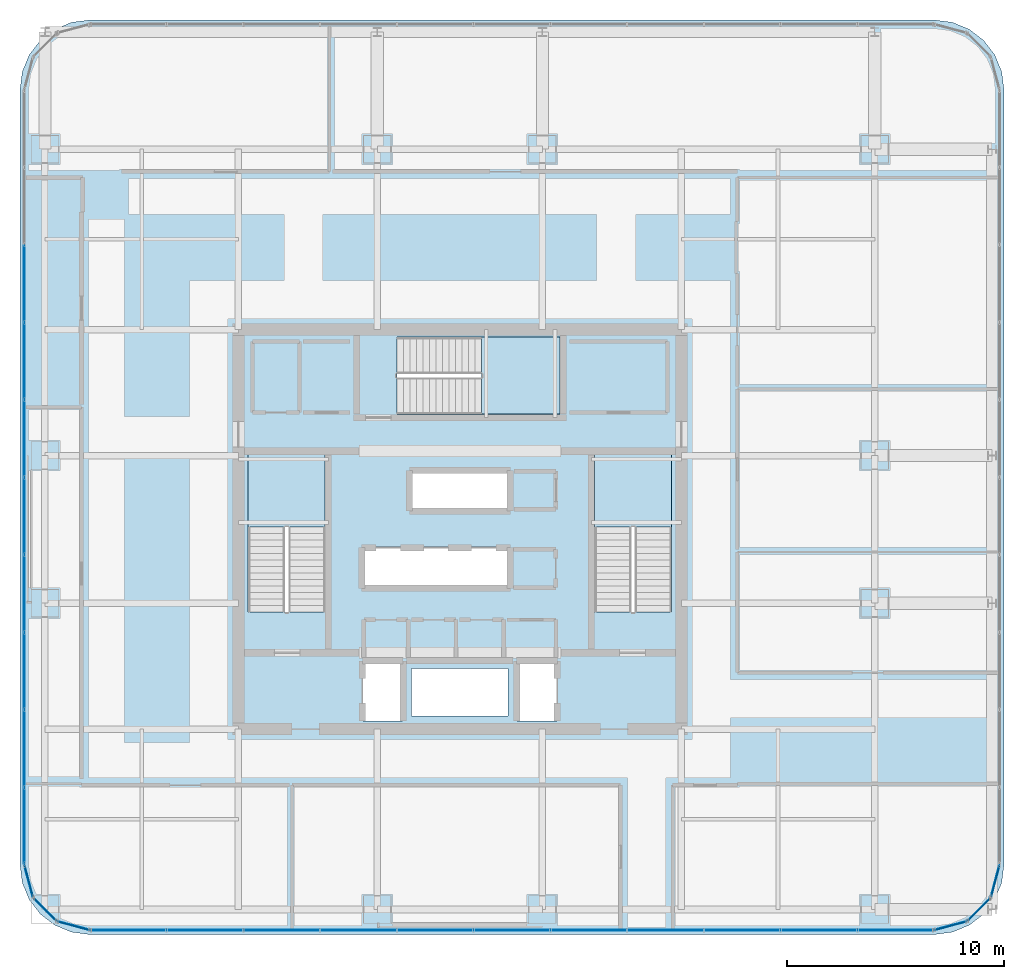
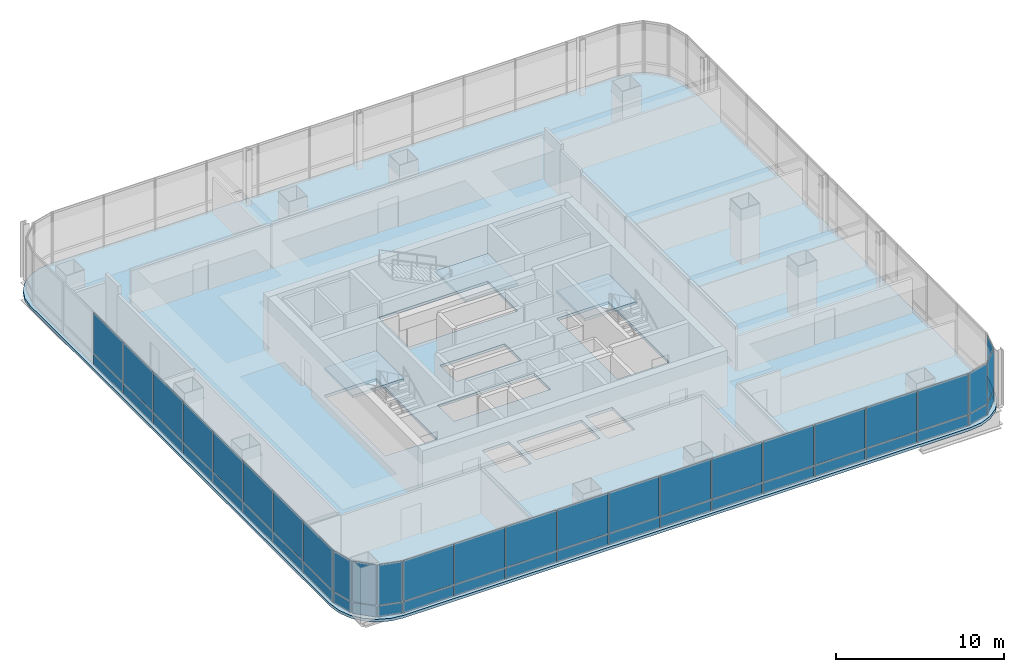
# One storey, part 31 of 42: 50 plates, 4 slabs, 11 elements without a shape of their own.
"""IFC4 building model written with IfcOpenShell, lengths in metres."""

import ifcopenshell
import ifcopenshell.guid

model = None  # the IFC model being written
_history = None  # IfcOwnerHistory: only IFC2X3 demands one
_inside = {}  # id of a spatial element -> (the spatial element, [elements in it])
_under = {}  # id of a project, library or spatial element -> (it, [spatial elements below it])
_declared = {}  # id of a project -> (the project, [libraries it declares])
_typed = {}  # id of a type object -> (the type object, [elements of that type])
_made_of = {}  # id of a material, layer set ... -> (it, [elements and type objects made of it])


def new_model(schema):
    """Start an empty IFC model of exactly this schema.

    Asked for "IFC4X3", IfcOpenShell would pick the latest addendum, in which some entities
    have other attributes; the version numbers below select the first issue.
    IFC2X3 requires an IfcOwnerHistory on every rooted entity: one is made here for all.
    """
    global model, _history
    if schema == "IFC4X3":
        model = ifcopenshell.file(schema_version=(4, 3, 0, 0))
    else:
        model = ifcopenshell.file(schema=schema)
    _inside.clear()
    _under.clear()
    _declared.clear()
    _typed.clear()
    _made_of.clear()
    _history = None
    if model.schema == "IFC2X3":
        org = make("IfcOrganization", Name="unknown")
        user = make(
            "IfcPersonAndOrganization",
            ThePerson=make("IfcPerson", FamilyName="unknown"),
            TheOrganization=org,
        )
        app = make(
            "IfcApplication",
            ApplicationDeveloper=org,
            Version="unknown",
            ApplicationFullName="unknown",
            ApplicationIdentifier="unknown",
        )
        _history = make(
            "IfcOwnerHistory",
            OwningUser=user,
            OwningApplication=app,
            ChangeAction="ADDED",
            CreationDate=0,
        )
    return model


def make(cls, **values):
    """One entity of the class cls with the attributes given. An attribute that is None is left unset."""
    return model.create_entity(
        cls, **{name: value for name, value in values.items() if value is not None}
    )


def rooted(cls, **values):
    """An entity with a GlobalId (a new one), such as an element, a storey or a relation."""
    return make(cls, GlobalId=ifcopenshell.guid.new(), OwnerHistory=_history, **values)


def si_unit(unit_type, name, prefix=None):
    """IfcSIUnit, for example si_unit("LENGTHUNIT", "METRE", prefix="MILLI")."""
    return make("IfcSIUnit", UnitType=unit_type, Prefix=prefix, Name=name)


def assignment(units):
    """IfcUnitAssignment: the units of a project."""
    return None if units is None else make("IfcUnitAssignment", Units=units)


def point(xyz):
    """IfcCartesianPoint."""
    return None if xyz is None else make("IfcCartesianPoint", Coordinates=xyz)


def direction(xyz):
    """IfcDirection."""
    return None if xyz is None else make("IfcDirection", DirectionRatios=xyz)


def frame(location, z_axis=None, x_axis=None):
    """IfcAxis2Placement3D, a coordinate frame: its origin and axes. An axis left out is left unset."""
    return make(
        "IfcAxis2Placement3D",
        Location=point(location),
        Axis=direction(z_axis),
        RefDirection=direction(x_axis),
    )


def frame_2d(location, x_axis=None):
    """IfcAxis2Placement2D, a coordinate frame in the plane: its origin and x axis."""
    return make(
        "IfcAxis2Placement2D", Location=point(location), RefDirection=direction(x_axis)
    )


def origin():
    """The frame at (0, 0, 0) with its axes left unset."""
    return frame((0.0, 0.0, 0.0))


def origin_2d():
    """The frame at (0, 0) in the plane with its x axis left unset."""
    return frame_2d((0.0, 0.0))


def place(relative_to, where):
    """IfcLocalPlacement: puts the frame where relative to a parent placement (None: the world)."""
    return make(
        "IfcLocalPlacement", PlacementRelTo=relative_to, RelativePlacement=where
    )


def context(
    kind, dimensions, precision=None, world=None, true_north=None, identifier=None
):
    """IfcGeometricRepresentationContext, for example the 3D "Model" context."""
    return make(
        "IfcGeometricRepresentationContext",
        ContextIdentifier=identifier,
        ContextType=kind,
        CoordinateSpaceDimension=dimensions,
        Precision=precision,
        WorldCoordinateSystem=world,
        TrueNorth=true_north,
    )


def subcontext(parent, identifier, kind, view, scale=None):
    """IfcGeometricRepresentationSubContext, for example "Body" below "Model"."""
    return make(
        "IfcGeometricRepresentationSubContext",
        ContextIdentifier=identifier,
        ContextType=kind,
        ParentContext=parent,
        TargetScale=scale,
        TargetView=view,
    )


def project(units=None, contexts=None):
    """IfcProject with its units and contexts."""
    return rooted(
        "IfcProject",
        Name="project",
        RepresentationContexts=contexts,
        UnitsInContext=assignment(units),
    )


def spatial(cls, under=None, at=None, **own):
    """A site, building, storey or space (cls), placed at a placement, below another one or the project."""
    s = rooted(cls, ObjectPlacement=at, **own)
    if under is not None:
        _under.setdefault(under.id(), (under, []))[1].append(s)
    return s


def polyline(points):
    """IfcPolyline through the points."""
    return make("IfcPolyline", Points=[point(p) for p in points])


def profile(cls, at=None, kind="AREA", **sizes):
    """A parametric profile (cls). Its sizes go by their IFC names, for example OverallWidth=200.0."""
    return make(cls, ProfileType=kind, Position=at, **sizes)


def rectangle(**sizes):
    """IfcRectangleProfileDef."""
    return profile("IfcRectangleProfileDef", **sizes)


def outline(outer, holes=None, kind="AREA"):
    """IfcArbitraryClosedProfileDef: a profile drawn as a closed curve; with holes, ...WithVoids."""
    if holes is None:
        return make("IfcArbitraryClosedProfileDef", ProfileType=kind, OuterCurve=outer)
    return make(
        "IfcArbitraryProfileDefWithVoids",
        ProfileType=kind,
        OuterCurve=outer,
        InnerCurves=holes,
    )


def extrude(swept, where, along, depth):
    """IfcExtrudedAreaSolid: the profile swept, set in the frame where, extruded along a direction by depth."""
    return make(
        "IfcExtrudedAreaSolid",
        SweptArea=swept,
        Position=where,
        ExtrudedDirection=direction(along),
        Depth=depth,
    )


def shape(context_of_items, identifier, shape_type, items):
    """IfcShapeRepresentation: the items that make up one representation, for example the "Body"."""
    return make(
        "IfcShapeRepresentation",
        ContextOfItems=context_of_items,
        RepresentationIdentifier=identifier,
        RepresentationType=shape_type,
        Items=items,
    )


def material(Name=None, Category=None):
    """IfcMaterial."""
    return make("IfcMaterial", Name=Name, Category=Category)


def layer(
    of_material, thickness, ventilated=None, Name=None, Category=None, Priority=None
):
    """IfcMaterialLayer: one layer of a wall or slab, of a material (None: an air gap)."""
    return make(
        "IfcMaterialLayer",
        Material=of_material,
        LayerThickness=thickness,
        IsVentilated=ventilated,
        Name=Name,
        Category=Category,
        Priority=Priority,
    )


def layer_set(layers, Name=None):
    """IfcMaterialLayerSet."""
    return make("IfcMaterialLayerSet", MaterialLayers=layers, LayerSetName=Name)


def made_of(thing, what):
    """Note that an element or type object is made of a material, layer set ...; save() writes the relation."""
    if what is not None:
        _made_of.setdefault(what.id(), (what, []))[1].append(thing)
    return thing


def type_object(cls, material=None, **own):
    """A type object (cls), such as IfcWallType, which elements share."""
    return made_of(rooted(cls, **own), material)


def element(
    cls,
    number,
    at=None,
    inside=None,
    cuts=None,
    type_object=None,
    material=None,
    context=None,
    identifier="Body",
    shape_type=None,
    held_by="IfcProductDefinitionShape",
    body=None,
    shapes=None,
    **own,
):
    """One element of the class cls, such as IfcWall. Its Tag is "e" and its number.

    at: its placement. inside: the storey or other place that contains it. cuts: it is an
    opening in that element (IfcRelVoidsElement). A single representation is given by context,
    identifier, shape_type and body (its items); several are given by shapes. held_by: the class
    of the entity that holds the representations. save() writes the other relations.
    """
    e = rooted(cls, Tag="e%d" % number, ObjectPlacement=at, **own)
    if body is not None:
        shapes = [shape(context, identifier, shape_type, body)]
    if shapes is not None:
        e.Representation = make(held_by, Representations=shapes)
    if inside is not None:
        _inside.setdefault(inside.id(), (inside, []))[1].append(e)
    if cuts is not None:
        rooted(
            "IfcRelVoidsElement", RelatingBuildingElement=cuts, RelatedOpeningElement=e
        )
    if type_object is not None:
        _typed.setdefault(type_object.id(), (type_object, []))[1].append(e)
    return made_of(e, material)


def aggregate(whole, parts):
    """IfcRelAggregates: a whole, such as a stair, and the parts it consists of."""
    return rooted("IfcRelAggregates", RelatingObject=whole, RelatedObjects=parts)


def save(model, path):
    """Write the relations noted so far, then the file.

    IfcRelAggregates (storeys below a building ...), IfcRelContainedInSpatialStructure (elements
    in a storey), IfcRelDefinesByType, IfcRelAssociatesMaterial and IfcRelDeclares: one each for
    every whole, place, type object, material and project.
    """
    for whole, parts in _under.values():
        aggregate(whole, parts)
    for where, things in _inside.values():
        rooted(
            "IfcRelContainedInSpatialStructure",
            RelatedElements=things,
            RelatingStructure=where,
        )
    for kind, things in _typed.values():
        rooted("IfcRelDefinesByType", RelatedObjects=things, RelatingType=kind)
    for what, things in _made_of.values():
        rooted("IfcRelAssociatesMaterial", RelatedObjects=things, RelatingMaterial=what)
    for by, libraries in _declared.values():
        rooted("IfcRelDeclares", RelatingContext=by, RelatedDefinitions=libraries)
    model.write(path)


model = new_model("IFC4")

# Units and contexts
model_context = context("Model", 3, precision=1e-05, world=origin(), true_north=direction((0.0, 1.0)))
body_context = subcontext(model_context, "Body", "Model", "MODEL_VIEW")
ifc_project = project(units=[si_unit("LENGTHUNIT", "METRE"), si_unit("AREAUNIT", "SQUARE_METRE"), si_unit("VOLUMEUNIT", "CUBIC_METRE"), si_unit("PLANEANGLEUNIT", "RADIAN"), si_unit("MASSUNIT", "GRAM", prefix="KILO")], contexts=[model_context])

# Site, building, storey
site_placement = place(None, origin())
site = spatial("IfcSite", under=ifc_project, at=site_placement, CompositionType="ELEMENT")
building_placement = place(site_placement, origin())
building = spatial("IfcBuilding", under=site, at=building_placement, Name="Punatoya Terracotta Tower", CompositionType="ELEMENT")
storey_placement = place(building_placement, frame((0.0, 0.0, 259.5)))
storey = spatial("IfcBuildingStorey", under=building, at=storey_placement, Name="L61", CompositionType="ELEMENT", Elevation=259.5)

# Curtain wall, plates
ifc_material_1 = material(Name="Aluminium 6063-T6 + Double Low-E Glass", Category="aluminium")
curtain_wall_type = type_object("IfcCurtainWallType", Name="CW-M3", PredefinedType="NOTDEFINED", material=ifc_material_1)
curtain_wall_1_placement = place(storey_placement, origin())
curtain_wall_1 = element("IfcCurtainWall", 1, at=curtain_wall_1_placement, inside=storey, type_object=curtain_wall_type, Name="L61 Curtain Wall CW-L61-S01-1", PredefinedType="NOTDEFINED")
ifc_material_2 = material(Name="Double Low-E Acoustic Vision Glass", Category="glass")
ifc_layer_1 = layer(ifc_material_2, 0.031982421875)
ifc_layer_set_1 = layer_set([ifc_layer_1], Name="Double Low-E Acoustic Vision Glass")
plate_type_1 = type_object("IfcPlateType", Name="PLT-GLZ-32", PredefinedType="CURTAIN_PANEL", material=ifc_layer_set_1)
plate_1_placement = place(storey_placement, frame((-15.27001953125, -18.449951171875, 0.89013671875), z_axis=(0.0, 0.0, 1.0), x_axis=(1.0, 0.0, 0.0)))
plate_1 = element("IfcPlate", 2, at=plate_1_placement, type_object=plate_type_1, Name="CW-L61-S01-1 Vision Glass Panel 1", PredefinedType="CURTAIN_PANEL", context=body_context, shape_type="SweptSolid", body=[
    extrude(rectangle(XDim=3.448974609375, YDim=0.031982421875, at=origin_2d()), origin(), (0.0, 0.0, 1.0), 2.919921875),
])
plate_2_placement = place(storey_placement, frame((-11.73583984375, -18.449951171875, 0.89013671875), z_axis=(0.0, 0.0, 1.0), x_axis=(1.0, 0.0, 0.0)))
plate_2 = element("IfcPlate", 3, at=plate_2_placement, type_object=plate_type_1, Name="CW-L61-S01-1 Vision Glass Panel 2", PredefinedType="CURTAIN_PANEL", context=body_context, shape_type="SweptSolid", body=[
    extrude(rectangle(XDim=3.448974609375, YDim=0.031982421875, at=origin_2d()), origin(), (0.0, 0.0, 1.0), 2.919921875),
])
plate_3_placement = place(storey_placement, frame((-8.201904296875, -18.449951171875, 0.89013671875), z_axis=(0.0, 0.0, 1.0), x_axis=(1.0, 0.0, 0.0)))
plate_3 = element("IfcPlate", 4, at=plate_3_placement, type_object=plate_type_1, Name="CW-L61-S01-1 Vision Glass Panel 3", PredefinedType="CURTAIN_PANEL", context=body_context, shape_type="SweptSolid", body=[
    extrude(rectangle(XDim=3.448974609375, YDim=0.031982421875, at=origin_2d()), origin(), (0.0, 0.0, 1.0), 2.919921875),
])
plate_4_placement = place(storey_placement, frame((-4.66796875, -18.449951171875, 0.89013671875), z_axis=(0.0, 0.0, 1.0), x_axis=(1.0, 0.0, 0.0)))
plate_4 = element("IfcPlate", 5, at=plate_4_placement, type_object=plate_type_1, Name="CW-L61-S01-1 Vision Glass Panel 4", PredefinedType="CURTAIN_PANEL", context=body_context, shape_type="SweptSolid", body=[
    extrude(rectangle(XDim=3.448974609375, YDim=0.031982421875, at=origin_2d()), origin(), (0.0, 0.0, 1.0), 2.919921875),
])
plate_5_placement = place(storey_placement, frame((-1.134033203125, -18.449951171875, 0.89013671875), z_axis=(0.0, 0.0, 1.0), x_axis=(1.0, 0.0, 0.0)))
plate_5 = element("IfcPlate", 6, at=plate_5_placement, type_object=plate_type_1, Name="CW-L61-S01-1 Vision Glass Panel 5", PredefinedType="CURTAIN_PANEL", context=body_context, shape_type="SweptSolid", body=[
    extrude(rectangle(XDim=3.448974609375, YDim=0.031982421875, at=origin_2d()), origin(), (0.0, 0.0, 1.0), 2.919921875),
])
plate_6_placement = place(storey_placement, frame((2.39990234375, -18.449951171875, 0.89013671875), z_axis=(0.0, 0.0, 1.0), x_axis=(1.0, 0.0, 0.0)))
plate_6 = element("IfcPlate", 7, at=plate_6_placement, type_object=plate_type_1, Name="CW-L61-S01-1 Vision Glass Panel 6", PredefinedType="CURTAIN_PANEL", context=body_context, shape_type="SweptSolid", body=[
    extrude(rectangle(XDim=3.448974609375, YDim=0.031982421875, at=origin_2d()), origin(), (0.0, 0.0, 1.0), 2.919921875),
])
plate_7_placement = place(storey_placement, frame((5.93408203125, -18.449951171875, 0.89013671875), z_axis=(0.0, 0.0, 1.0), x_axis=(1.0, 0.0, 0.0)))
plate_7 = element("IfcPlate", 8, at=plate_7_placement, type_object=plate_type_1, Name="CW-L61-S01-1 Vision Glass Panel 7", PredefinedType="CURTAIN_PANEL", context=body_context, shape_type="SweptSolid", body=[
    extrude(rectangle(XDim=3.448974609375, YDim=0.031982421875, at=origin_2d()), origin(), (0.0, 0.0, 1.0), 2.919921875),
])
plate_8_placement = place(storey_placement, frame((9.468017578125, -18.449951171875, 0.89013671875), z_axis=(0.0, 0.0, 1.0), x_axis=(1.0, 0.0, 0.0)))
plate_8 = element("IfcPlate", 9, at=plate_8_placement, type_object=plate_type_1, Name="CW-L61-S01-1 Vision Glass Panel 8", PredefinedType="CURTAIN_PANEL", context=body_context, shape_type="SweptSolid", body=[
    extrude(rectangle(XDim=3.448974609375, YDim=0.031982421875, at=origin_2d()), origin(), (0.0, 0.0, 1.0), 2.919921875),
])
plate_9_placement = place(storey_placement, frame((13.001953125, -18.449951171875, 0.89013671875), z_axis=(0.0, 0.0, 1.0), x_axis=(1.0, 0.0, 0.0)))
plate_9 = element("IfcPlate", 10, at=plate_9_placement, type_object=plate_type_1, Name="CW-L61-S01-1 Vision Glass Panel 9", PredefinedType="CURTAIN_PANEL", context=body_context, shape_type="SweptSolid", body=[
    extrude(rectangle(XDim=3.448974609375, YDim=0.031982421875, at=origin_2d()), origin(), (0.0, 0.0, 1.0), 2.919921875),
])
plate_10_placement = place(storey_placement, frame((16.535888671875, -18.449951171875, 0.89013671875), z_axis=(0.0, 0.0, 1.0), x_axis=(1.0, 0.0, 0.0)))
plate_10 = element("IfcPlate", 11, at=plate_10_placement, type_object=plate_type_1, Name="CW-L61-S01-1 Vision Glass Panel 10", PredefinedType="CURTAIN_PANEL", context=body_context, shape_type="SweptSolid", body=[
    extrude(rectangle(XDim=3.448974609375, YDim=0.031982421875, at=origin_2d()), origin(), (0.0, 0.0, 1.0), 2.919921875),
])
plate_11_placement = place(storey_placement, frame((20.06982421875, -18.449951171875, 0.89013671875), z_axis=(0.0, 0.0, 1.0), x_axis=(1.0, 0.0, 0.0)))
plate_11 = element("IfcPlate", 12, at=plate_11_placement, type_object=plate_type_1, Name="CW-L61-S01-1 Vision Glass Panel 11", PredefinedType="CURTAIN_PANEL", context=body_context, shape_type="SweptSolid", body=[
    extrude(rectangle(XDim=3.448974609375, YDim=0.031982421875, at=origin_2d()), origin(), (0.0, 0.0, 1.0), 2.919921875),
])

# Curtain wall, plate
curtain_wall_2_placement = place(storey_placement, origin())
curtain_wall_2 = element("IfcCurtainWall", 13, at=curtain_wall_2_placement, inside=storey, type_object=curtain_wall_type, Name="L61 Curtain Wall CW-L61-CRN02", PredefinedType="NOTDEFINED")
plate_12_placement = place(storey_placement, frame((22.593017578125, -18.248291015625, 0.89013671875), z_axis=(0.0, 0.0, 1.0), x_axis=(0.966213877436, 0.257741620719, 0.0)))
plate_12 = element("IfcPlate", 14, at=plate_12_placement, type_object=plate_type_1, Name="CW-L61-CRN02 Vision Glass Panel 1", PredefinedType="CURTAIN_PANEL", context=body_context, shape_type="SweptSolid", body=[
    extrude(rectangle(XDim=1.47998046875, YDim=0.031982421875, at=origin_2d()), origin(), (0.0, 0.0, 1.0), 2.919921875),
])

curtain_wall_3_placement = place(storey_placement, origin())
curtain_wall_3 = element("IfcCurtainWall", 15, at=curtain_wall_3_placement, inside=storey, type_object=curtain_wall_type, Name="L61 Curtain Wall CW-L61-CRN03", PredefinedType="NOTDEFINED")
plate_13_placement = place(storey_placement, frame((23.89794921875, -17.497802734375, 0.89013671875), z_axis=(0.0, 0.0, 1.0), x_axis=(0.707106781187, 0.707106781187, 0.0)))
plate_13 = element("IfcPlate", 16, at=plate_13_placement, type_object=plate_type_1, Name="CW-L61-CRN03 Vision Glass Panel 1", PredefinedType="CURTAIN_PANEL", context=body_context, shape_type="SweptSolid", body=[
    extrude(rectangle(XDim=1.467041015625, YDim=0.031982421875, at=origin_2d()), origin(), (0.0, 0.0, 1.0), 2.919921875),
])

curtain_wall_4_placement = place(storey_placement, origin())
curtain_wall_4 = element("IfcCurtainWall", 17, at=curtain_wall_4_placement, inside=storey, type_object=curtain_wall_type, Name="L61 Curtain Wall CW-L61-CRN04", PredefinedType="NOTDEFINED")
plate_14_placement = place(storey_placement, frame((24.648193359375, -16.193115234375, 0.89013671875), z_axis=(0.0, 0.0, 1.0), x_axis=(0.257741620719, 0.966213877436, 0.0)))
plate_14 = element("IfcPlate", 18, at=plate_14_placement, type_object=plate_type_1, Name="CW-L61-CRN04 Vision Glass Panel 1", PredefinedType="CURTAIN_PANEL", context=body_context, shape_type="SweptSolid", body=[
    extrude(rectangle(XDim=1.47998046875, YDim=0.031982421875, at=origin_2d()), origin(), (0.0, 0.0, 1.0), 2.919921875),
])

# Curtain wall, plates
curtain_wall_5_placement = place(storey_placement, origin())
curtain_wall_5 = element("IfcCurtainWall", 19, at=curtain_wall_5_placement, inside=storey, type_object=curtain_wall_type, Name="L61 Curtain Wall CW-L61-W13-1", PredefinedType="NOTDEFINED")
plate_15_placement = place(storey_placement, frame((-20.050048828125, 11.318359375, 0.89013671875), z_axis=(0.0, 0.0, 1.0), x_axis=(0.0, -1.0, 0.0)))
plate_15 = element("IfcPlate", 20, at=plate_15_placement, type_object=plate_type_1, Name="CW-L61-W13-1 Vision Glass Panel 3", PredefinedType="CURTAIN_PANEL", context=body_context, shape_type="SweptSolid", body=[
    extrude(rectangle(XDim=3.482421875, YDim=0.031982421875, at=origin_2d()), origin(), (0.0, 0.0, 1.0), 2.919921875),
])
plate_16_placement = place(storey_placement, frame((-20.050048828125, 7.751220703125, 0.89013671875), z_axis=(0.0, 0.0, 1.0), x_axis=(0.0, -1.0, 0.0)))
plate_16 = element("IfcPlate", 21, at=plate_16_placement, type_object=plate_type_1, Name="CW-L61-W13-1 Vision Glass Panel 4", PredefinedType="CURTAIN_PANEL", context=body_context, shape_type="SweptSolid", body=[
    extrude(rectangle(XDim=3.482421875, YDim=0.031982421875, at=origin_2d()), origin(), (0.0, 0.0, 1.0), 2.919921875),
])
plate_17_placement = place(storey_placement, frame((-20.050048828125, 4.18359375, 0.89013671875), z_axis=(0.0, 0.0, 1.0), x_axis=(0.0, -1.0, 0.0)))
plate_17 = element("IfcPlate", 22, at=plate_17_placement, type_object=plate_type_1, Name="CW-L61-W13-1 Vision Glass Panel 5", PredefinedType="CURTAIN_PANEL", context=body_context, shape_type="SweptSolid", body=[
    extrude(rectangle(XDim=3.482421875, YDim=0.031982421875, at=origin_2d()), origin(), (0.0, 0.0, 1.0), 2.919921875),
])
plate_18_placement = place(storey_placement, frame((-20.050048828125, 0.6162109375, 0.89013671875), z_axis=(0.0, 0.0, 1.0), x_axis=(0.0, -1.0, 0.0)))
plate_18 = element("IfcPlate", 23, at=plate_18_placement, type_object=plate_type_1, Name="CW-L61-W13-1 Vision Glass Panel 6", PredefinedType="CURTAIN_PANEL", context=body_context, shape_type="SweptSolid", body=[
    extrude(rectangle(XDim=3.482421875, YDim=0.031982421875, at=origin_2d()), origin(), (0.0, 0.0, 1.0), 2.919921875),
])
plate_19_placement = place(storey_placement, frame((-20.050048828125, -2.951171875, 0.89013671875), z_axis=(0.0, 0.0, 1.0), x_axis=(0.0, -1.0, 0.0)))
plate_19 = element("IfcPlate", 24, at=plate_19_placement, type_object=plate_type_1, Name="CW-L61-W13-1 Vision Glass Panel 7", PredefinedType="CURTAIN_PANEL", context=body_context, shape_type="SweptSolid", body=[
    extrude(rectangle(XDim=3.482421875, YDim=0.031982421875, at=origin_2d()), origin(), (0.0, 0.0, 1.0), 2.919921875),
])
plate_20_placement = place(storey_placement, frame((-20.050048828125, -6.518310546875, 0.89013671875), z_axis=(0.0, 0.0, 1.0), x_axis=(0.0, -1.0, 0.0)))
plate_20 = element("IfcPlate", 25, at=plate_20_placement, type_object=plate_type_1, Name="CW-L61-W13-1 Vision Glass Panel 8", PredefinedType="CURTAIN_PANEL", context=body_context, shape_type="SweptSolid", body=[
    extrude(rectangle(XDim=3.482421875, YDim=0.031982421875, at=origin_2d()), origin(), (0.0, 0.0, 1.0), 2.919921875),
])
plate_21_placement = place(storey_placement, frame((-20.050048828125, -10.085693359375, 0.89013671875), z_axis=(0.0, 0.0, 1.0), x_axis=(0.0, -1.0, 0.0)))
plate_21 = element("IfcPlate", 26, at=plate_21_placement, type_object=plate_type_1, Name="CW-L61-W13-1 Vision Glass Panel 9", PredefinedType="CURTAIN_PANEL", context=body_context, shape_type="SweptSolid", body=[
    extrude(rectangle(XDim=3.482421875, YDim=0.031982421875, at=origin_2d()), origin(), (0.0, 0.0, 1.0), 2.919921875),
])
plate_22_placement = place(storey_placement, frame((-20.050048828125, -13.6533203125, 0.89013671875), z_axis=(0.0, 0.0, 1.0), x_axis=(0.0, -1.0, 0.0)))
plate_22 = element("IfcPlate", 27, at=plate_22_placement, type_object=plate_type_1, Name="CW-L61-W13-1 Vision Glass Panel 10", PredefinedType="CURTAIN_PANEL", context=body_context, shape_type="SweptSolid", body=[
    extrude(rectangle(XDim=3.482421875, YDim=0.031982421875, at=origin_2d()), origin(), (0.0, 0.0, 1.0), 2.919921875),
])

# Curtain wall, plate
curtain_wall_6_placement = place(storey_placement, origin())
curtain_wall_6 = element("IfcCurtainWall", 28, at=curtain_wall_6_placement, inside=storey, type_object=curtain_wall_type, Name="L61 Curtain Wall CW-L61-CRN14", PredefinedType="NOTDEFINED")
plate_23_placement = place(storey_placement, frame((-19.848388671875, -16.193115234375, 0.89013671875), z_axis=(0.0, 0.0, 1.0), x_axis=(0.257741620719, -0.966213877436, 0.0)))
plate_23 = element("IfcPlate", 29, at=plate_23_placement, type_object=plate_type_1, Name="CW-L61-CRN14 Vision Glass Panel 1", PredefinedType="CURTAIN_PANEL", context=body_context, shape_type="SweptSolid", body=[
    extrude(rectangle(XDim=1.47998046875, YDim=0.031982421875, at=origin_2d()), origin(), (0.0, 0.0, 1.0), 2.919921875),
])

curtain_wall_7_placement = place(storey_placement, origin())
curtain_wall_7 = element("IfcCurtainWall", 30, at=curtain_wall_7_placement, inside=storey, type_object=curtain_wall_type, Name="L61 Curtain Wall CW-L61-CRN15", PredefinedType="NOTDEFINED")
plate_24_placement = place(storey_placement, frame((-19.097900390625, -17.497802734375, 0.89013671875), z_axis=(0.0, 0.0, 1.0), x_axis=(0.707106781187, -0.707106781187, 0.0)))
plate_24 = element("IfcPlate", 31, at=plate_24_placement, type_object=plate_type_1, Name="CW-L61-CRN15 Vision Glass Panel 1", PredefinedType="CURTAIN_PANEL", context=body_context, shape_type="SweptSolid", body=[
    extrude(rectangle(XDim=1.467041015625, YDim=0.031982421875, at=origin_2d()), origin(), (0.0, 0.0, 1.0), 2.919921875),
])

curtain_wall_8_placement = place(storey_placement, origin())
curtain_wall_8 = element("IfcCurtainWall", 32, at=curtain_wall_8_placement, inside=storey, type_object=curtain_wall_type, Name="L61 Curtain Wall CW-L61-CRN16", PredefinedType="NOTDEFINED")
plate_25_placement = place(storey_placement, frame((-17.79296875, -18.248291015625, 0.89013671875), z_axis=(0.0, 0.0, 1.0), x_axis=(0.966213877436, -0.257741620719, 0.0)))
plate_25 = element("IfcPlate", 33, at=plate_25_placement, type_object=plate_type_1, Name="CW-L61-CRN16 Vision Glass Panel 1", PredefinedType="CURTAIN_PANEL", context=body_context, shape_type="SweptSolid", body=[
    extrude(rectangle(XDim=1.47998046875, YDim=0.031982421875, at=origin_2d()), origin(), (0.0, 0.0, 1.0), 2.919921875),
])

# Plate
ifc_material_3 = material(Name="Insulated Terracotta-Backed Spandrel Panel", Category="masonry")
ifc_layer_2 = layer(ifc_material_3, 0.044921875)
ifc_layer_set_2 = layer_set([ifc_layer_2], Name="Insulated Terracotta-Backed Spandrel Panel")
plate_type_2 = type_object("IfcPlateType", Name="PLT-SPN-45", PredefinedType="CURTAIN_PANEL", material=ifc_layer_set_2)
plate_26_placement = place(storey_placement, frame((-15.27001953125, -18.449951171875, 0.0400390625), z_axis=(0.0, 0.0, 1.0), x_axis=(1.0, 0.0, 0.0)))
plate_26 = element("IfcPlate", 34, at=plate_26_placement, type_object=plate_type_2, Name="CW-L61-S01-1 Terracotta Spandrel Panel 1", PredefinedType="CURTAIN_PANEL", context=body_context, shape_type="SweptSolid", body=[
    extrude(rectangle(XDim=3.448974609375, YDim=0.044921875, at=origin_2d()), origin(), (0.0, 0.0, 1.0), 0.77490234375),
])

plate_27_placement = place(storey_placement, frame((-11.73583984375, -18.449951171875, 0.0400390625), z_axis=(0.0, 0.0, 1.0), x_axis=(1.0, 0.0, 0.0)))
plate_27 = element("IfcPlate", 35, at=plate_27_placement, type_object=plate_type_2, Name="CW-L61-S01-1 Terracotta Spandrel Panel 2", PredefinedType="CURTAIN_PANEL", context=body_context, shape_type="SweptSolid", body=[
    extrude(rectangle(XDim=3.448974609375, YDim=0.044921875, at=origin_2d()), origin(), (0.0, 0.0, 1.0), 0.77490234375),
])

plate_28_placement = place(storey_placement, frame((-8.201904296875, -18.449951171875, 0.0400390625), z_axis=(0.0, 0.0, 1.0), x_axis=(1.0, 0.0, 0.0)))
plate_28 = element("IfcPlate", 36, at=plate_28_placement, type_object=plate_type_2, Name="CW-L61-S01-1 Terracotta Spandrel Panel 3", PredefinedType="CURTAIN_PANEL", context=body_context, shape_type="SweptSolid", body=[
    extrude(rectangle(XDim=3.448974609375, YDim=0.044921875, at=origin_2d()), origin(), (0.0, 0.0, 1.0), 0.77490234375),
])

plate_29_placement = place(storey_placement, frame((-4.66796875, -18.449951171875, 0.0400390625), z_axis=(0.0, 0.0, 1.0), x_axis=(1.0, 0.0, 0.0)))
plate_29 = element("IfcPlate", 37, at=plate_29_placement, type_object=plate_type_2, Name="CW-L61-S01-1 Terracotta Spandrel Panel 4", PredefinedType="CURTAIN_PANEL", context=body_context, shape_type="SweptSolid", body=[
    extrude(rectangle(XDim=3.448974609375, YDim=0.044921875, at=origin_2d()), origin(), (0.0, 0.0, 1.0), 0.77490234375),
])

plate_30_placement = place(storey_placement, frame((-1.134033203125, -18.449951171875, 0.0400390625), z_axis=(0.0, 0.0, 1.0), x_axis=(1.0, 0.0, 0.0)))
plate_30 = element("IfcPlate", 38, at=plate_30_placement, type_object=plate_type_2, Name="CW-L61-S01-1 Terracotta Spandrel Panel 5", PredefinedType="CURTAIN_PANEL", context=body_context, shape_type="SweptSolid", body=[
    extrude(rectangle(XDim=3.448974609375, YDim=0.044921875, at=origin_2d()), origin(), (0.0, 0.0, 1.0), 0.77490234375),
])

plate_31_placement = place(storey_placement, frame((2.39990234375, -18.449951171875, 0.0400390625), z_axis=(0.0, 0.0, 1.0), x_axis=(1.0, 0.0, 0.0)))
plate_31 = element("IfcPlate", 39, at=plate_31_placement, type_object=plate_type_2, Name="CW-L61-S01-1 Terracotta Spandrel Panel 6", PredefinedType="CURTAIN_PANEL", context=body_context, shape_type="SweptSolid", body=[
    extrude(rectangle(XDim=3.448974609375, YDim=0.044921875, at=origin_2d()), origin(), (0.0, 0.0, 1.0), 0.77490234375),
])

plate_32_placement = place(storey_placement, frame((5.93408203125, -18.449951171875, 0.0400390625), z_axis=(0.0, 0.0, 1.0), x_axis=(1.0, 0.0, 0.0)))
plate_32 = element("IfcPlate", 40, at=plate_32_placement, type_object=plate_type_2, Name="CW-L61-S01-1 Terracotta Spandrel Panel 7", PredefinedType="CURTAIN_PANEL", context=body_context, shape_type="SweptSolid", body=[
    extrude(rectangle(XDim=3.448974609375, YDim=0.044921875, at=origin_2d()), origin(), (0.0, 0.0, 1.0), 0.77490234375),
])

plate_33_placement = place(storey_placement, frame((9.468017578125, -18.449951171875, 0.0400390625), z_axis=(0.0, 0.0, 1.0), x_axis=(1.0, 0.0, 0.0)))
plate_33 = element("IfcPlate", 41, at=plate_33_placement, type_object=plate_type_2, Name="CW-L61-S01-1 Terracotta Spandrel Panel 8", PredefinedType="CURTAIN_PANEL", context=body_context, shape_type="SweptSolid", body=[
    extrude(rectangle(XDim=3.448974609375, YDim=0.044921875, at=origin_2d()), origin(), (0.0, 0.0, 1.0), 0.77490234375),
])

plate_34_placement = place(storey_placement, frame((13.001953125, -18.449951171875, 0.0400390625), z_axis=(0.0, 0.0, 1.0), x_axis=(1.0, 0.0, 0.0)))
plate_34 = element("IfcPlate", 42, at=plate_34_placement, type_object=plate_type_2, Name="CW-L61-S01-1 Terracotta Spandrel Panel 9", PredefinedType="CURTAIN_PANEL", context=body_context, shape_type="SweptSolid", body=[
    extrude(rectangle(XDim=3.448974609375, YDim=0.044921875, at=origin_2d()), origin(), (0.0, 0.0, 1.0), 0.77490234375),
])

plate_35_placement = place(storey_placement, frame((16.535888671875, -18.449951171875, 0.0400390625), z_axis=(0.0, 0.0, 1.0), x_axis=(1.0, 0.0, 0.0)))
plate_35 = element("IfcPlate", 43, at=plate_35_placement, type_object=plate_type_2, Name="CW-L61-S01-1 Terracotta Spandrel Panel 10", PredefinedType="CURTAIN_PANEL", context=body_context, shape_type="SweptSolid", body=[
    extrude(rectangle(XDim=3.448974609375, YDim=0.044921875, at=origin_2d()), origin(), (0.0, 0.0, 1.0), 0.77490234375),
])

plate_36_placement = place(storey_placement, frame((20.06982421875, -18.449951171875, 0.0400390625), z_axis=(0.0, 0.0, 1.0), x_axis=(1.0, 0.0, 0.0)))
plate_36 = element("IfcPlate", 44, at=plate_36_placement, type_object=plate_type_2, Name="CW-L61-S01-1 Terracotta Spandrel Panel 11", PredefinedType="CURTAIN_PANEL", context=body_context, shape_type="SweptSolid", body=[
    extrude(rectangle(XDim=3.448974609375, YDim=0.044921875, at=origin_2d()), origin(), (0.0, 0.0, 1.0), 0.77490234375),
])

aggregate(curtain_wall_1, [plate_26, plate_1, plate_27, plate_2, plate_28, plate_3, plate_29, plate_4, plate_30, plate_5, plate_31, plate_6, plate_32, plate_7, plate_33, plate_8, plate_34, plate_9, plate_35, plate_10, plate_36, plate_11])

plate_37_placement = place(storey_placement, frame((22.593017578125, -18.248291015625, 0.0400390625), z_axis=(0.0, 0.0, 1.0), x_axis=(0.966213877436, 0.257741620719, 0.0)))
plate_37 = element("IfcPlate", 45, at=plate_37_placement, type_object=plate_type_2, Name="CW-L61-CRN02 Terracotta Spandrel Panel 1", PredefinedType="CURTAIN_PANEL", context=body_context, shape_type="SweptSolid", body=[
    extrude(rectangle(XDim=1.47998046875, YDim=0.044921875, at=origin_2d()), origin(), (0.0, 0.0, 1.0), 0.77490234375),
])

aggregate(curtain_wall_2, [plate_37, plate_12])

plate_38_placement = place(storey_placement, frame((23.89794921875, -17.497802734375, 0.0400390625), z_axis=(0.0, 0.0, 1.0), x_axis=(0.707106781187, 0.707106781187, 0.0)))
plate_38 = element("IfcPlate", 46, at=plate_38_placement, type_object=plate_type_2, Name="CW-L61-CRN03 Terracotta Spandrel Panel 1", PredefinedType="CURTAIN_PANEL", context=body_context, shape_type="SweptSolid", body=[
    extrude(rectangle(XDim=1.467041015625, YDim=0.044921875, at=origin_2d()), origin(), (0.0, 0.0, 1.0), 0.77490234375),
])

aggregate(curtain_wall_3, [plate_38, plate_13])

plate_39_placement = place(storey_placement, frame((24.648193359375, -16.193115234375, 0.0400390625), z_axis=(0.0, 0.0, 1.0), x_axis=(0.257741620719, 0.966213877436, 0.0)))
plate_39 = element("IfcPlate", 47, at=plate_39_placement, type_object=plate_type_2, Name="CW-L61-CRN04 Terracotta Spandrel Panel 1", PredefinedType="CURTAIN_PANEL", context=body_context, shape_type="SweptSolid", body=[
    extrude(rectangle(XDim=1.47998046875, YDim=0.044921875, at=origin_2d()), origin(), (0.0, 0.0, 1.0), 0.77490234375),
])

aggregate(curtain_wall_4, [plate_39, plate_14])

plate_40_placement = place(storey_placement, frame((-20.050048828125, 11.318359375, 0.0400390625), z_axis=(0.0, 0.0, 1.0), x_axis=(0.0, -1.0, 0.0)))
plate_40 = element("IfcPlate", 48, at=plate_40_placement, type_object=plate_type_2, Name="CW-L61-W13-1 Terracotta Spandrel Panel 3", PredefinedType="CURTAIN_PANEL", context=body_context, shape_type="SweptSolid", body=[
    extrude(rectangle(XDim=3.482421875, YDim=0.044921875, at=origin_2d()), origin(), (0.0, 0.0, 1.0), 0.77490234375),
])

plate_41_placement = place(storey_placement, frame((-20.050048828125, 7.751220703125, 0.0400390625), z_axis=(0.0, 0.0, 1.0), x_axis=(0.0, -1.0, 0.0)))
plate_41 = element("IfcPlate", 49, at=plate_41_placement, type_object=plate_type_2, Name="CW-L61-W13-1 Terracotta Spandrel Panel 4", PredefinedType="CURTAIN_PANEL", context=body_context, shape_type="SweptSolid", body=[
    extrude(rectangle(XDim=3.482421875, YDim=0.044921875, at=origin_2d()), origin(), (0.0, 0.0, 1.0), 0.77490234375),
])

plate_42_placement = place(storey_placement, frame((-20.050048828125, 4.18359375, 0.0400390625), z_axis=(0.0, 0.0, 1.0), x_axis=(0.0, -1.0, 0.0)))
plate_42 = element("IfcPlate", 50, at=plate_42_placement, type_object=plate_type_2, Name="CW-L61-W13-1 Terracotta Spandrel Panel 5", PredefinedType="CURTAIN_PANEL", context=body_context, shape_type="SweptSolid", body=[
    extrude(rectangle(XDim=3.482421875, YDim=0.044921875, at=origin_2d()), origin(), (0.0, 0.0, 1.0), 0.77490234375),
])

plate_43_placement = place(storey_placement, frame((-20.050048828125, 0.6162109375, 0.0400390625), z_axis=(0.0, 0.0, 1.0), x_axis=(0.0, -1.0, 0.0)))
plate_43 = element("IfcPlate", 51, at=plate_43_placement, type_object=plate_type_2, Name="CW-L61-W13-1 Terracotta Spandrel Panel 6", PredefinedType="CURTAIN_PANEL", context=body_context, shape_type="SweptSolid", body=[
    extrude(rectangle(XDim=3.482421875, YDim=0.044921875, at=origin_2d()), origin(), (0.0, 0.0, 1.0), 0.77490234375),
])

plate_44_placement = place(storey_placement, frame((-20.050048828125, -2.951171875, 0.0400390625), z_axis=(0.0, 0.0, 1.0), x_axis=(0.0, -1.0, 0.0)))
plate_44 = element("IfcPlate", 52, at=plate_44_placement, type_object=plate_type_2, Name="CW-L61-W13-1 Terracotta Spandrel Panel 7", PredefinedType="CURTAIN_PANEL", context=body_context, shape_type="SweptSolid", body=[
    extrude(rectangle(XDim=3.482421875, YDim=0.044921875, at=origin_2d()), origin(), (0.0, 0.0, 1.0), 0.77490234375),
])

plate_45_placement = place(storey_placement, frame((-20.050048828125, -6.518310546875, 0.0400390625), z_axis=(0.0, 0.0, 1.0), x_axis=(0.0, -1.0, 0.0)))
plate_45 = element("IfcPlate", 53, at=plate_45_placement, type_object=plate_type_2, Name="CW-L61-W13-1 Terracotta Spandrel Panel 8", PredefinedType="CURTAIN_PANEL", context=body_context, shape_type="SweptSolid", body=[
    extrude(rectangle(XDim=3.482421875, YDim=0.044921875, at=origin_2d()), origin(), (0.0, 0.0, 1.0), 0.77490234375),
])

plate_46_placement = place(storey_placement, frame((-20.050048828125, -10.085693359375, 0.0400390625), z_axis=(0.0, 0.0, 1.0), x_axis=(0.0, -1.0, 0.0)))
plate_46 = element("IfcPlate", 54, at=plate_46_placement, type_object=plate_type_2, Name="CW-L61-W13-1 Terracotta Spandrel Panel 9", PredefinedType="CURTAIN_PANEL", context=body_context, shape_type="SweptSolid", body=[
    extrude(rectangle(XDim=3.482421875, YDim=0.044921875, at=origin_2d()), origin(), (0.0, 0.0, 1.0), 0.77490234375),
])

plate_47_placement = place(storey_placement, frame((-20.050048828125, -13.6533203125, 0.0400390625), z_axis=(0.0, 0.0, 1.0), x_axis=(0.0, -1.0, 0.0)))
plate_47 = element("IfcPlate", 55, at=plate_47_placement, type_object=plate_type_2, Name="CW-L61-W13-1 Terracotta Spandrel Panel 10", PredefinedType="CURTAIN_PANEL", context=body_context, shape_type="SweptSolid", body=[
    extrude(rectangle(XDim=3.482421875, YDim=0.044921875, at=origin_2d()), origin(), (0.0, 0.0, 1.0), 0.77490234375),
])

aggregate(curtain_wall_5, [plate_40, plate_15, plate_41, plate_16, plate_42, plate_17, plate_43, plate_18, plate_44, plate_19, plate_45, plate_20, plate_46, plate_21, plate_47, plate_22])

plate_48_placement = place(storey_placement, frame((-19.848388671875, -16.193115234375, 0.0400390625), z_axis=(0.0, 0.0, 1.0), x_axis=(0.257741620719, -0.966213877436, 0.0)))
plate_48 = element("IfcPlate", 56, at=plate_48_placement, type_object=plate_type_2, Name="CW-L61-CRN14 Terracotta Spandrel Panel 1", PredefinedType="CURTAIN_PANEL", context=body_context, shape_type="SweptSolid", body=[
    extrude(rectangle(XDim=1.47998046875, YDim=0.044921875, at=origin_2d()), origin(), (0.0, 0.0, 1.0), 0.77490234375),
])

aggregate(curtain_wall_6, [plate_48, plate_23])

plate_49_placement = place(storey_placement, frame((-19.097900390625, -17.497802734375, 0.0400390625), z_axis=(0.0, 0.0, 1.0), x_axis=(0.707106781187, -0.707106781187, 0.0)))
plate_49 = element("IfcPlate", 57, at=plate_49_placement, type_object=plate_type_2, Name="CW-L61-CRN15 Terracotta Spandrel Panel 1", PredefinedType="CURTAIN_PANEL", context=body_context, shape_type="SweptSolid", body=[
    extrude(rectangle(XDim=1.467041015625, YDim=0.044921875, at=origin_2d()), origin(), (0.0, 0.0, 1.0), 0.77490234375),
])

aggregate(curtain_wall_7, [plate_49, plate_24])

plate_50_placement = place(storey_placement, frame((-17.79296875, -18.248291015625, 0.0400390625), z_axis=(0.0, 0.0, 1.0), x_axis=(0.966213877436, -0.257741620719, 0.0)))
plate_50 = element("IfcPlate", 58, at=plate_50_placement, type_object=plate_type_2, Name="CW-L61-CRN16 Terracotta Spandrel Panel 1", PredefinedType="CURTAIN_PANEL", context=body_context, shape_type="SweptSolid", body=[
    extrude(rectangle(XDim=1.47998046875, YDim=0.044921875, at=origin_2d()), origin(), (0.0, 0.0, 1.0), 0.77490234375),
])

aggregate(curtain_wall_8, [plate_50, plate_25])

# Stair, slab
ifc_material_4 = material(Name="Concrete C40/50", Category="concrete")
stair_type_1 = type_object("IfcStairType", Name="STR-TER-1450", PredefinedType="HALF_TURN_STAIR", material=ifc_material_4)
stair_1_placement = place(storey_placement, origin())
stair_1 = element("IfcStair", 59, at=stair_1_placement, inside=storey, type_object=stair_type_1, Name="L61 Protected Core Exit Stair ST-3", PredefinedType="HALF_TURN_STAIR")
ifc_layer_3 = layer(ifc_material_4, 0.1650390625)
ifc_layer_set_3 = layer_set([ifc_layer_3], Name="Concrete C40/50")
slab_type_1 = type_object("IfcSlabType", Name="SLB-LND-165", PredefinedType="LANDING", material=ifc_layer_set_3)
slab_1_placement = place(storey_placement, frame((0.0, 0.0, 1.824951171875)))
slab_1 = element("IfcSlab", 60, at=slab_1_placement, type_object=slab_type_1, Name="ST-3 landing 1", PredefinedType="LANDING", context=body_context, shape_type="SweptSolid", body=[
    extrude(outline(polyline([(1.0, 5.300048828125), (4.60009765625, 5.300048828125), (4.60009765625, 8.85009765625), (1.0, 8.85009765625), (1.0, 5.300048828125)])), origin(), (0.0, 0.0, 1.0), 0.199951171875),
])
aggregate(stair_1, [slab_1])

stair_type_2 = type_object("IfcStairType", Name="STR-CORE-1550", PredefinedType="HALF_TURN_STAIR", material=ifc_material_4)
stair_2_placement = place(storey_placement, origin())
stair_2 = element("IfcStair", 61, at=stair_2_placement, inside=storey, type_object=stair_type_2, Name="L61 Protected Core Exit Stair ST-1", PredefinedType="HALF_TURN_STAIR")
ifc_layer_4 = layer(ifc_material_4, 0.179931640625)
ifc_layer_set_4 = layer_set([ifc_layer_4], Name="Concrete C40/50")
slab_type_2 = type_object("IfcSlabType", Name="SLB-LND-180", PredefinedType="LANDING", material=ifc_layer_set_4)
slab_2_placement = place(storey_placement, frame((0.0, 0.0, 1.824951171875)))
slab_2 = element("IfcSlab", 62, at=slab_2_placement, type_object=slab_type_2, Name="ST-1 landing 1", PredefinedType="LANDING", context=body_context, shape_type="SweptSolid", body=[
    extrude(outline(polyline([(-6.199951171875, 0.10009765625), (-6.199951171875, 3.449951171875), (-9.75, 3.449951171875), (-9.75, 0.10009765625), (-6.199951171875, 0.10009765625)])), origin(), (0.0, 0.0, 1.0), 0.199951171875),
])
aggregate(stair_2, [slab_2])

stair_type_3 = type_object("IfcStairType", Name="STR-LOB-1650", PredefinedType="HALF_TURN_STAIR", material=ifc_material_4)
stair_3_placement = place(storey_placement, origin())
stair_3 = element("IfcStair", 63, at=stair_3_placement, inside=storey, type_object=stair_type_3, Name="L61 Protected Core Exit Stair ST-2", PredefinedType="HALF_TURN_STAIR")
slab_3_placement = place(storey_placement, frame((0.0, 0.0, 1.824951171875)))
slab_3 = element("IfcSlab", 64, at=slab_3_placement, type_object=slab_type_2, Name="ST-2 landing 1", PredefinedType="LANDING", context=body_context, shape_type="SweptSolid", body=[
    extrude(outline(polyline([(9.75, 0.10009765625), (9.75, 3.449951171875), (6.199951171875, 3.449951171875), (6.199951171875, 0.10009765625), (9.75, 0.10009765625)])), origin(), (0.0, 0.0, 1.0), 0.199951171875),
])
aggregate(stair_3, [slab_3])

# Slab
ifc_layer_5 = layer(ifc_material_4, 0.199951171875)
ifc_layer_set_5 = layer_set([ifc_layer_5], Name="Concrete C40/50")
slab_type_3 = type_object("IfcSlabType", Name="SLB-OFF-200", PredefinedType="FLOOR", material=ifc_layer_set_5)
slab_4_placement = place(storey_placement, frame((0.0, 0.0, -0.199951171875)))
element("IfcSlab", 65, at=slab_4_placement, inside=storey, type_object=slab_type_3, Name="L61 Structural Floor Slab", PredefinedType="FLOOR", context=body_context, shape_type="SweptSolid", body=[
    extrude(outline(polyline([(-17.050048828125, -18.64990234375), (-17.878173828125, -18.541015625), (-18.64990234375, -18.22119140625), (-19.312744140625, -17.712646484375), (-19.8212890625, -17.050048828125), (-20.14111328125, -16.2783203125), (-20.25, -15.449951171875), (-20.25, 20.25), (-20.14111328125, 21.078125), (-19.8212890625, 21.85009765625), (-19.312744140625, 22.5126953125), (-18.64990234375, 23.021240234375), (-17.878173828125, 23.341064453125), (-17.050048828125, 23.449951171875), (21.85009765625, 23.449951171875), (22.67822265625, 23.341064453125), (23.449951171875, 23.021240234375), (24.11279296875, 22.5126953125), (24.621337890625, 21.85009765625), (24.94091796875, 21.078125), (25.050048828125, 20.25), (25.050048828125, -15.449951171875), (24.94091796875, -16.2783203125), (24.621337890625, -17.050048828125), (24.11279296875, -17.712646484375), (23.449951171875, -18.22119140625), (22.67822265625, -18.541015625), (21.85009765625, -18.64990234375), (-17.050048828125, -18.64990234375)]), holes=[polyline([(-2.6298828125, -6.179931640625), (-4.469970703125, -6.179931640625), (-4.469970703125, -8.820068359375), (-2.6298828125, -8.820068359375), (-2.6298828125, -6.179931640625)]), polyline([(0.02001953125, -8.594970703125), (2.219970703125, -8.594970703125), (2.219970703125, -6.405029296875), (0.02001953125, -6.405029296875), (-0.02001953125, -6.405029296875), (-2.219970703125, -6.405029296875), (-2.219970703125, -8.594970703125), (-0.02001953125, -8.594970703125), (0.02001953125, -8.594970703125)]), polyline([(-2.219970703125, -2.719970703125), (-2.179931640625, -2.719970703125), (-0.02001953125, -2.719970703125), (0.02001953125, -2.719970703125), (2.219970703125, -2.719970703125), (2.219970703125, -0.780029296875), (0.02001953125, -0.780029296875), (-0.02001953125, -0.780029296875), (-2.179931640625, -0.780029296875), (-2.219970703125, -0.780029296875), (-4.419921875, -0.780029296875), (-4.419921875, -2.719970703125), (-2.219970703125, -2.719970703125)]), polyline([(-6.199951171875, 3.449951171875), (-9.75, 3.449951171875), (-9.75, -3.79931640625), (-6.199951171875, -3.79931640625), (-6.199951171875, 3.449951171875)]), polyline([(0.02001953125, 0.780029296875), (2.219970703125, 0.780029296875), (2.219970703125, 2.719970703125), (0.02001953125, 2.719970703125), (-0.02001953125, 2.719970703125), (-2.219970703125, 2.719970703125), (-2.219970703125, 0.780029296875), (-0.02001953125, 0.780029296875), (0.02001953125, 0.780029296875)]), polyline([(4.469970703125, -8.820068359375), (4.469970703125, -6.179931640625), (2.6298828125, -6.179931640625), (2.6298828125, -8.820068359375), (4.469970703125, -8.820068359375)]), polyline([(6.199951171875, 3.449951171875), (6.199951171875, -3.79931640625), (9.75, -3.79931640625), (9.75, 3.449951171875), (6.199951171875, 3.449951171875)]), polyline([(4.60009765625, 5.300048828125), (4.60009765625, 8.85009765625), (-2.899169921875, 8.85009765625), (-2.899169921875, 5.300048828125), (4.60009765625, 5.300048828125)])]), origin(), (0.0, 0.0, 1.0), 0.199951171875),
])

save(model, "model.ifc")
